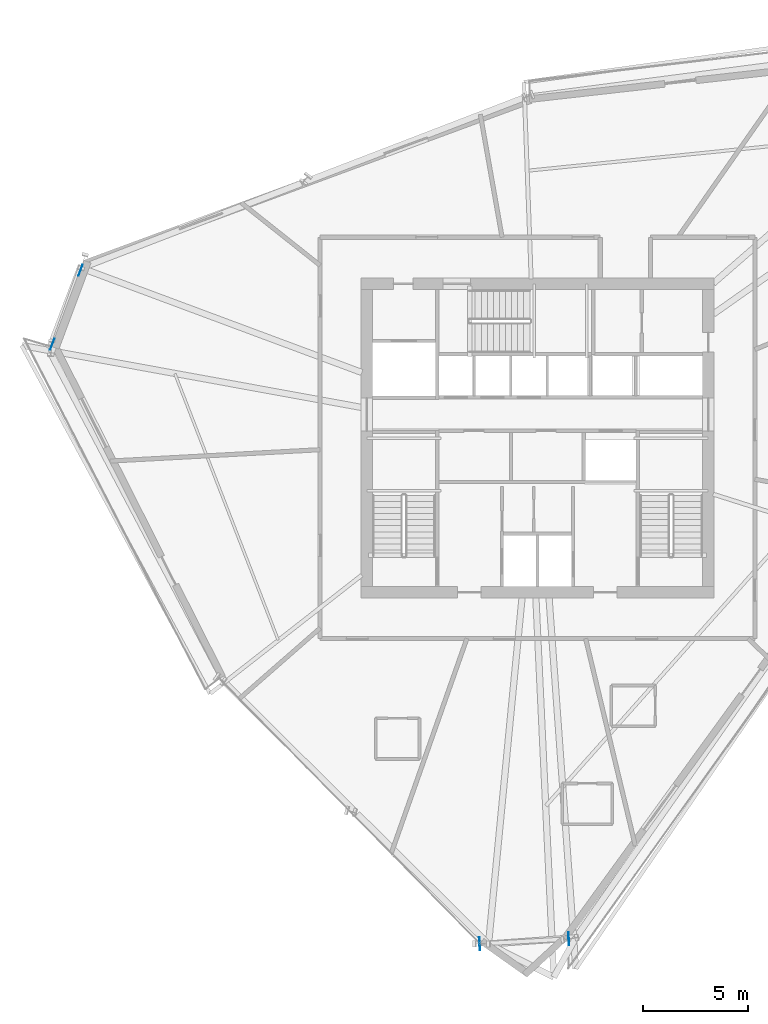
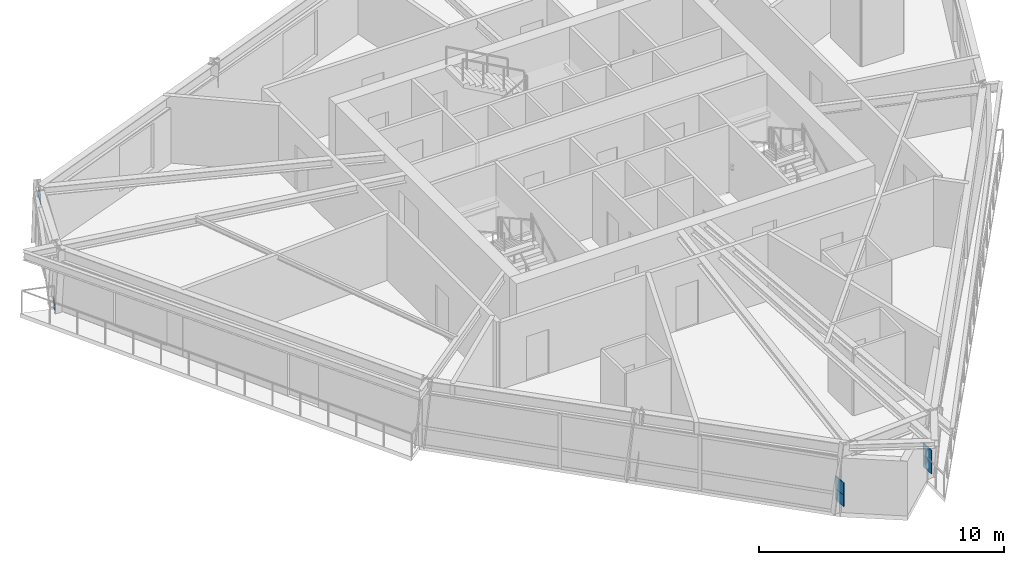
# One storey, part 6 of 14: 6 plates.
"""IFC4 building model written with IfcOpenShell, lengths in metres."""

from ifc_helpers import new_model, si_unit, direction, frame, origin, origin_2d, place, context, subcontext, project, spatial, rectangle, extrude, source, transform, mapped, material, type_object, element, save


model = new_model("IFC4")

# Units and contexts
model_context = context("Model", 3, precision=1e-05, world=origin(), true_north=direction((0.0, 1.0)))
body_context = subcontext(model_context, "Body", "Model", "MODEL_VIEW")
ifc_project = project(units=[si_unit("LENGTHUNIT", "METRE"), si_unit("AREAUNIT", "SQUARE_METRE"), si_unit("VOLUMEUNIT", "CUBIC_METRE"), si_unit("PLANEANGLEUNIT", "RADIAN"), si_unit("MASSUNIT", "GRAM", prefix="KILO")], contexts=[model_context])

# Site, building, storey
site_placement = place(None, origin())
site = spatial("IfcSite", under=ifc_project, at=site_placement, CompositionType="ELEMENT")
building_placement = place(site_placement, origin())
building = spatial("IfcBuilding", under=site, at=building_placement, Name="Olszyna Solenne Hotel", CompositionType="ELEMENT")
storey_placement = place(building_placement, frame((0.0, 0.0, 185.64990234375)))
storey = spatial("IfcBuildingStorey", under=building, at=storey_placement, Name="L49", CompositionType="ELEMENT", Elevation=185.64990234375)

# Plates
ifc_material_1 = material(Name="Steel S460M", Category="steel")
plate_type_1 = type_object("IfcPlateType", Name="GP-CAP2", PredefinedType="USERDEFINED", material=ifc_material_1)
shared_shape_1 = source(origin(), body_context, "Body", "SweptSolid", [
    extrude(rectangle(XDim=0.030029296875, YDim=0.6201171875, at=origin_2d()), origin(), (0.0, 0.0, 1.0), 0.6201171875),
])
for number, where, z_axis, x_axis, name in (
    (1, (35.23193359375, 2.392578125, 1.0400390625), (0.0, 0.0, 1.0), (0.998440764182, 0.055821504993, 0.0), "Hollow section end-cap plate GP-CAP2 CP-PR-M-L49-PR1-1"),
    (2, (39.4951171875, 2.630859375, 1.0400390625), (0.0, 0.0, 1.0), (0.998440764182, 0.055821504993, 0.0), "Hollow section end-cap plate GP-CAP2 CP-PR-M-L49-PR1-2"),
    (3, (35.23193359375, 2.392578125, 0.469970703125), (0.0, 0.0, 1.0), (0.998440764182, 0.055821504993, 0.0), "Hollow section end-cap plate GP-CAP2 CP-PR-M-L49-PR2-1"),
    (4, (39.4951171875, 2.630859375, 0.469970703125), (0.0, 0.0, 1.0), (0.998440764182, 0.055821504993, 0.0), "Hollow section end-cap plate GP-CAP2 CP-PR-M-L49-PR2-2"),
):
    element("IfcPlate", number, at=place(storey_placement, frame(where, z_axis=z_axis, x_axis=x_axis)), inside=storey, type_object=plate_type_1, Name=name, ObjectType="GUSSET_PLATE", PredefinedType="USERDEFINED", context=body_context, shape_type="MappedRepresentation", body=[
        mapped(shared_shape_1, transform((0.0, 0.0, 0.0), x_axis=(1.0, 0.0, 0.0), y_axis=(0.0, 1.0, 0.0), z_axis=(0.0, 0.0, 1.0), scale=1.0)),
    ])
ifc_material_2 = material(Name="Steel S355J2", Category="steel")
plate_type_2 = type_object("IfcPlateType", Name="GP-ND2", PredefinedType="USERDEFINED", material=ifc_material_2)
shared_shape_2 = source(origin(), body_context, "Body", "SweptSolid", [
    extrude(rectangle(XDim=0.56005859375, YDim=0.02001953125, at=origin_2d()), origin(), (0.0, 0.0, 1.0), 0.47998046875),
])
for number, where, z_axis, x_axis, name in (
    (5, (14.783935546875, 31.08251953125, -0.146240234375), (0.0, 0.0, 1.0), (0.357064076459, 0.934079892355, 0.0), "Brace end connection gusset plate GP-ND2 EP-BR-L49-2-1"),
    (6, (16.136962890625, 34.622314453125, 2.676513671875), (0.0, 0.0, 1.0), (0.357064076459, 0.934079892355, 0.0), "Brace end connection gusset plate GP-ND2 EP-BR-L49-2-2"),
):
    element("IfcPlate", number, at=place(storey_placement, frame(where, z_axis=z_axis, x_axis=x_axis)), inside=storey, type_object=plate_type_2, Name=name, ObjectType="GUSSET_PLATE", PredefinedType="USERDEFINED", context=body_context, shape_type="MappedRepresentation", body=[
        mapped(shared_shape_2, transform((0.0, 0.0, 0.0), x_axis=(1.0, 0.0, 0.0), y_axis=(0.0, 1.0, 0.0), z_axis=(0.0, 0.0, 1.0), scale=1.0)),
    ])

save(model, "model.ifc")
